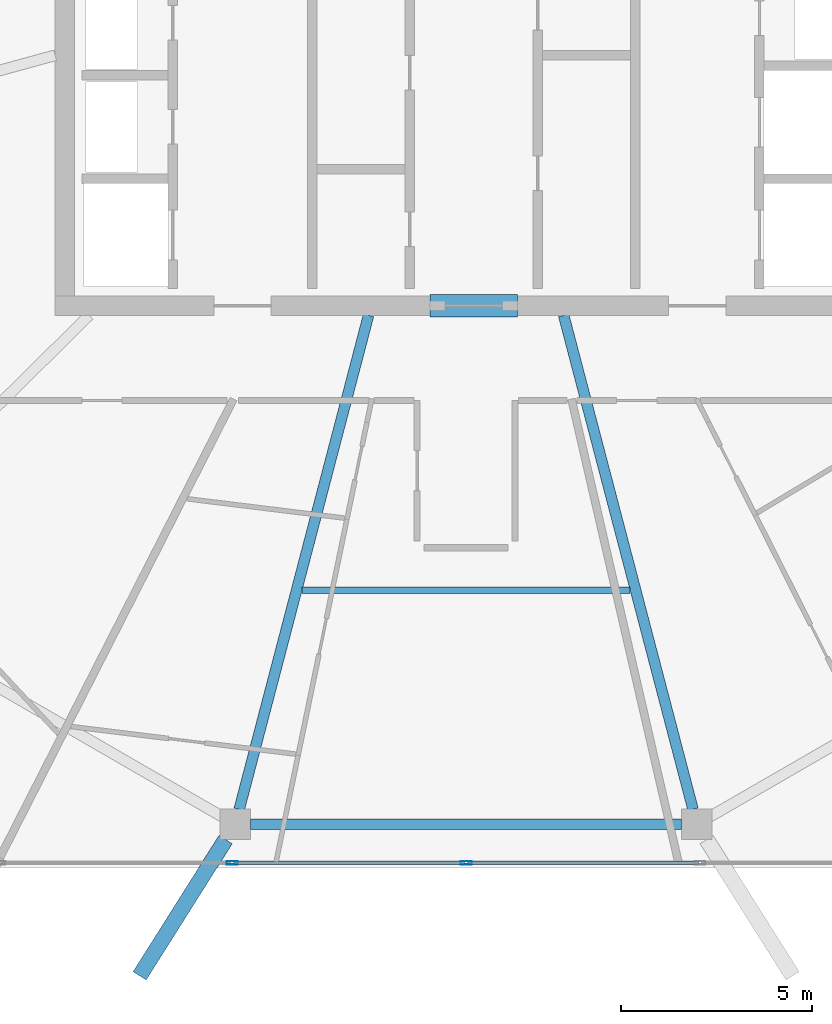
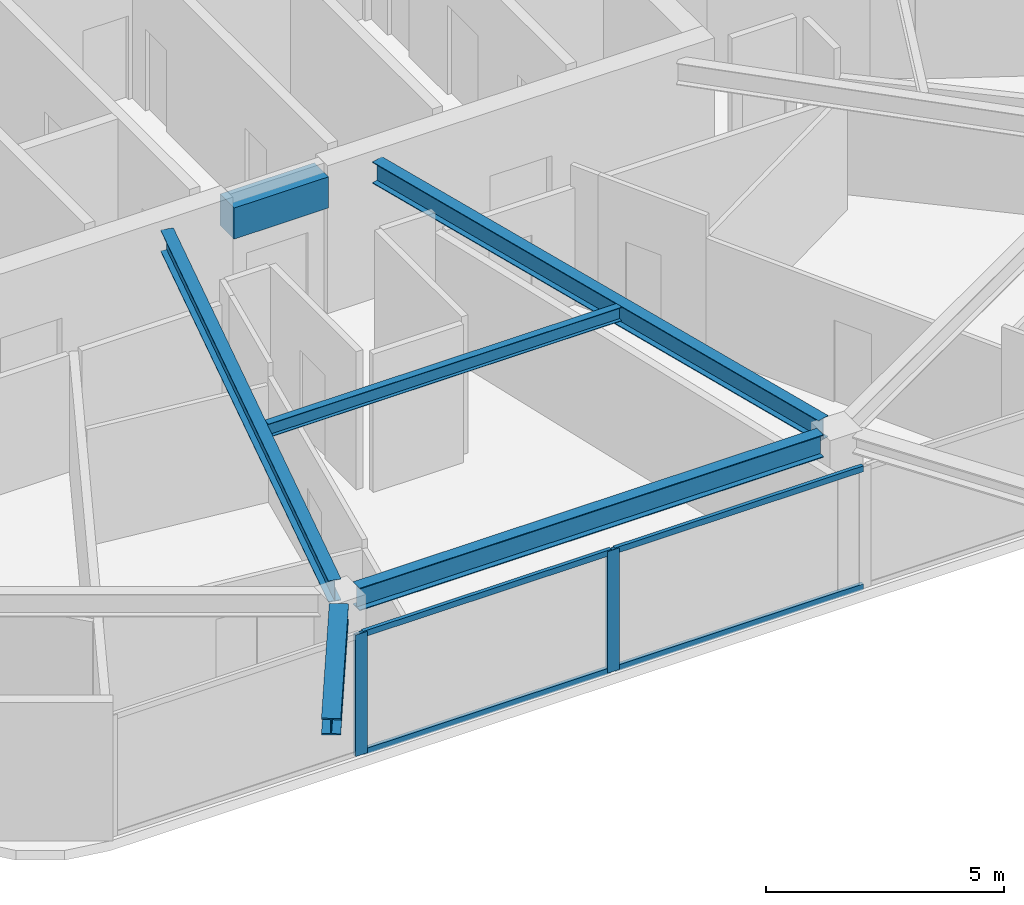
# One storey, part 3 of 19: 6 beams, 6 members, 1 element without a shape of its own.
"""IFC4 building model written with IfcOpenShell, lengths in metres."""

from ifc_helpers import new_model, si_unit, direction, frame, origin, origin_2d, place, context, subcontext, project, spatial, rectangle, hollow_rectangle, i_section, extrude, material, material_profile, profile_set, type_object, element, aggregate, save


model = new_model("IFC4")

# Units and contexts
model_context = context("Model", 3, precision=1e-05, world=origin(), true_north=direction((0.0, 1.0)))
body_context = subcontext(model_context, "Body", "Model", "MODEL_VIEW")
ifc_project = project(units=[si_unit("LENGTHUNIT", "METRE"), si_unit("AREAUNIT", "SQUARE_METRE"), si_unit("VOLUMEUNIT", "CUBIC_METRE"), si_unit("PLANEANGLEUNIT", "RADIAN"), si_unit("MASSUNIT", "GRAM", prefix="KILO")], contexts=[model_context])

# Site, building, storey
site_placement = place(None, origin())
site = spatial("IfcSite", under=ifc_project, at=site_placement, CompositionType="ELEMENT")
building_placement = place(site_placement, origin())
building = spatial("IfcBuilding", under=site, at=building_placement, Name="Zuhravey Tower", CompositionType="ELEMENT")
storey_placement = place(building_placement, frame((0.0, 0.0, 327.199951171875)))
storey = spatial("IfcBuildingStorey", under=building, at=storey_placement, Name="L83", CompositionType="ELEMENT", Elevation=327.199951171875)

# Beam
ifc_material_1 = material(Name="Concrete C50/60", Category="concrete")
ifc_material_profile_1 = material_profile(ifc_material_1, rectangle(XDim=0.60009765625, YDim=0.800048828125, at=origin_2d()), Name="RC-600x800")
ifc_profile_set_1 = profile_set([ifc_material_profile_1], Name="Concrete C50/60")
beam_type_1 = type_object("IfcBeamType", Name="Core Coupling Beam RC600x800", PredefinedType="LINTEL", material=ifc_profile_set_1)
beam_1_placement = place(storey_placement, frame((35.052001953125, 22.5, 3.150146484375), z_axis=(1.0, 0.0, 0.0), x_axis=(0.0, 1.0, 0.0)))
element("IfcBeam", 1, at=beam_1_placement, inside=storey, type_object=beam_type_1, Name="L83 CB2 BM-L83-CB-S", PredefinedType="LINTEL", context=body_context, shape_type="SweptSolid", body=[
    extrude(rectangle(XDim=0.60009765625, YDim=0.800048828125, at=origin_2d()), origin(), (0.0, 0.0, 1.0), 2.2958984375),
])

# Curtain wall, members
ifc_material_2 = material(Name="Thermally broken anodised aluminium", Category="aluminium")
curtain_wall_type = type_object("IfcCurtainWallType", Name="Zone 3-4 High-Rise Curtain Wall CW4", PredefinedType="NOTDEFINED", material=ifc_material_2)
curtain_wall_placement = place(storey_placement, origin())
curtain_wall = element("IfcCurtainWall", 2, at=curtain_wall_placement, inside=storey, type_object=curtain_wall_type, Name="L83 CW4 CW-L83-F5-1", PredefinedType="NOTDEFINED")
ifc_material_3 = material(Name="Anodised aluminium", Category="aluminium")
ifc_material_profile_2 = material_profile(ifc_material_3, hollow_rectangle(XDim=0.090087890625, YDim=0.284912109375, WallThickness=0.0048828125, at=origin_2d()), Name="ALU-RHS-90x285x5")
ifc_profile_set_2 = profile_set([ifc_material_profile_2], Name="Anodised aluminium")
member_type_1 = type_object("IfcMemberType", Name="Curtain-Wall Mullion 90x180", PredefinedType="MULLION", material=ifc_profile_set_2)
member_1_placement = place(storey_placement, frame((36.0, 7.92578125, 0.0), z_axis=(0.0, 0.0, 1.0), x_axis=(0.0, -1.0, 0.0)))
member_1 = element("IfcMember", 3, at=member_1_placement, type_object=member_type_1, Name="CW4 mullion 3", PredefinedType="MULLION", context=body_context, shape_type="SweptSolid", body=[
    extrude(hollow_rectangle(XDim=0.090087890625, YDim=0.284912109375, WallThickness=0.0048828125, at=origin_2d()), origin(), (0.0, 0.0, 1.0), 3.1220703125),
])
member_2_placement = place(storey_placement, frame((29.88037109375, 7.92578125, 0.0), z_axis=(0.0, 0.0, 1.0), x_axis=(0.0, -1.0, 0.0)))
member_2 = element("IfcMember", 4, at=member_2_placement, type_object=member_type_1, Name="CW4 mullion 4", PredefinedType="MULLION", context=body_context, shape_type="SweptSolid", body=[
    extrude(hollow_rectangle(XDim=0.090087890625, YDim=0.284912109375, WallThickness=0.0048828125, at=origin_2d()), origin(), (0.0, 0.0, 1.0), 3.1220703125),
])
ifc_material_profile_3 = material_profile(ifc_material_3, hollow_rectangle(XDim=0.090087890625, YDim=0.14990234375, WallThickness=0.0048828125, at=origin_2d()), Name="ALU-RHS-90x150x5")
ifc_profile_set_3 = profile_set([ifc_material_profile_3], Name="Anodised aluminium")
member_type_2 = type_object("IfcMemberType", Name="Curtain-Wall Transom 90x150", PredefinedType="USERDEFINED", material=ifc_profile_set_3)
member_3_placement = place(storey_placement, frame((42.07470703125, 7.92578125, 0.045166015625), z_axis=(-1.0, 0.0, 0.0), x_axis=(0.0, -1.0, 0.0)))
member_3 = element("IfcMember", 5, at=member_3_placement, type_object=member_type_2, Name="CW4 transom 2.1", ObjectType="TRANSOM", PredefinedType="USERDEFINED", context=body_context, shape_type="SweptSolid", body=[
    extrude(hollow_rectangle(XDim=0.090087890625, YDim=0.14990234375, WallThickness=0.0048828125, at=origin_2d()), origin(), (0.0, 0.0, 1.0), 6.02978515625),
])
member_4_placement = place(storey_placement, frame((42.07470703125, 7.92578125, 3.0771484375), z_axis=(-1.0, 0.0, 0.0), x_axis=(0.0, -1.0, 0.0)))
member_4 = element("IfcMember", 6, at=member_4_placement, type_object=member_type_2, Name="CW4 transom 2.2", ObjectType="TRANSOM", PredefinedType="USERDEFINED", context=body_context, shape_type="SweptSolid", body=[
    extrude(hollow_rectangle(XDim=0.090087890625, YDim=0.14990234375, WallThickness=0.0048828125, at=origin_2d()), origin(), (0.0, 0.0, 1.0), 6.02978515625),
])
member_5_placement = place(storey_placement, frame((35.955078125, 7.92578125, 0.045166015625), z_axis=(-1.0, 0.0, 0.0), x_axis=(0.0, -1.0, 0.0)))
member_5 = element("IfcMember", 7, at=member_5_placement, type_object=member_type_2, Name="CW4 transom 3.1", ObjectType="TRANSOM", PredefinedType="USERDEFINED", context=body_context, shape_type="SweptSolid", body=[
    extrude(hollow_rectangle(XDim=0.090087890625, YDim=0.14990234375, WallThickness=0.0048828125, at=origin_2d()), origin(), (0.0, 0.0, 1.0), 6.02978515625),
])
member_6_placement = place(storey_placement, frame((35.955078125, 7.92578125, 3.0771484375), z_axis=(-1.0, 0.0, 0.0), x_axis=(0.0, -1.0, 0.0)))
member_6 = element("IfcMember", 8, at=member_6_placement, type_object=member_type_2, Name="CW4 transom 3.2", ObjectType="TRANSOM", PredefinedType="USERDEFINED", context=body_context, shape_type="SweptSolid", body=[
    extrude(hollow_rectangle(XDim=0.090087890625, YDim=0.14990234375, WallThickness=0.0048828125, at=origin_2d()), origin(), (0.0, 0.0, 1.0), 6.02978515625),
])
aggregate(curtain_wall, [member_1, member_2, member_3, member_4, member_5, member_6])

# Beams
ifc_material_4 = material(Name="Steel SM460", Category="steel")
ifc_material_profile_4 = material_profile(ifc_material_4, i_section(OverallWidth=0.406982421875, OverallDepth=0.427978515625, WebThickness=0.02001953125, FlangeThickness=0.034912109375, at=origin_2d()), Name="H-428x407x20x35")
ifc_profile_set_4 = profile_set([ifc_material_profile_4], Name="Steel SM460")
beam_type_2 = type_object("IfcBeamType", Name="Exoskeleton Node Tie Beam H428x407", PredefinedType="BEAM", material=ifc_profile_set_4)
beam_2_placement = place(storey_placement, frame((29.706787109375, 8.532470703125, 3.3359375), z_axis=(-0.533546052647, -0.845771014935, 0.0), x_axis=(0.845771014935, -0.533546052647, 0.0)))
element("IfcBeam", 9, at=beam_2_placement, inside=storey, type_object=beam_type_2, Name="L83 Exoskeleton Node Tie NT1-09", PredefinedType="BEAM", context=body_context, shape_type="SweptSolid", body=[
    extrude(i_section(OverallWidth=0.406982421875, OverallDepth=0.427978515625, WebThickness=0.02001953125, FlangeThickness=0.034912109375, at=origin_2d()), origin(), (0.0, 0.0, 1.0), 4.2138671875),
])
ifc_material_5 = material(Name="Steel SM355", Category="steel")
ifc_material_profile_5 = material_profile(ifc_material_5, i_section(OverallWidth=0.280029296875, OverallDepth=0.580078125, WebThickness=0.011962890625, FlangeThickness=0.01904296875, at=origin_2d()), Name="H-580x280x12x19")
ifc_profile_set_5 = profile_set([ifc_material_profile_5], Name="Steel SM355")
beam_type_3 = type_object("IfcBeamType", Name="Perimeter Ring Beam H580x280", PredefinedType="BEAM", material=ifc_profile_set_5)
beam_3_placement = place(storey_placement, frame((30.3642578125, 8.935791015625, 3.260009765625), z_axis=(1.0, 0.0, 0.0), x_axis=(0.0, 1.0, 0.0)))
element("IfcBeam", 10, at=beam_3_placement, inside=storey, type_object=beam_type_3, Name="L83 PB4 BM-L83-PB-09", PredefinedType="BEAM", context=body_context, shape_type="SweptSolid", body=[
    extrude(i_section(OverallWidth=0.280029296875, OverallDepth=0.580078125, WebThickness=0.011962890625, FlangeThickness=0.01904296875, at=origin_2d()), origin(), (0.0, 0.0, 1.0), 11.271484375),
])
ifc_material_profile_6 = material_profile(ifc_material_5, i_section(OverallWidth=0.280029296875, OverallDepth=0.550048828125, WebThickness=0.010986328125, FlangeThickness=0.01806640625, at=origin_2d()), Name="H-550x280x11x18")
ifc_profile_set_6 = profile_set([ifc_material_profile_6], Name="Steel SM355")
beam_type_4 = type_object("IfcBeamType", Name="Radial Primary Girder H550x280", PredefinedType="BEAM", material=ifc_profile_set_6)
for number, where, z_axis, x_axis, name in (
    (11, (33.446533203125, 22.2470703125, 3.275146484375), (-0.253281197106, -0.967392699576, 0.0), (0.967392699576, -0.253281197106, 0.0), "L83 RG4 BM-L83-RAD-09"),
    (12, (38.553466796875, 22.2470703125, 3.275146484375), (0.253281197106, -0.967392699576, 0.0), (0.967392699576, 0.253281197106, 0.0), "L83 RG4 BM-L83-RAD-10"),
):
    element("IfcBeam", number, at=place(storey_placement, frame(where, z_axis=z_axis, x_axis=x_axis)), inside=storey, type_object=beam_type_4, Name=name, PredefinedType="BEAM", context=body_context, shape_type="SweptSolid", body=[
        extrude(i_section(OverallWidth=0.280029296875, OverallDepth=0.550048828125, WebThickness=0.010986328125, FlangeThickness=0.01806640625, at=origin_2d()), origin(), (0.0, 0.0, 1.0), 13.35693359375),
    ])
ifc_material_profile_7 = material_profile(ifc_material_5, i_section(OverallWidth=0.175048828125, OverallDepth=0.35009765625, WebThickness=0.007080078125, FlangeThickness=0.010986328125, at=origin_2d()), Name="H-350x175x7x11")
ifc_profile_set_7 = profile_set([ifc_material_profile_7], Name="Steel SM355")
beam_type_5 = type_object("IfcBeamType", Name="Secondary Floor Joist H350x175", PredefinedType="JOIST", material=ifc_profile_set_7)
beam_4_placement = place(storey_placement, frame((31.70849609375, 15.05908203125, 3.375), z_axis=(1.0, 0.0, 0.0), x_axis=(0.0, 1.0, 0.0)))
element("IfcBeam", 13, at=beam_4_placement, inside=storey, type_object=beam_type_5, Name="L83 SJ3 BM-L83-SJ-09-1", PredefinedType="JOIST", context=body_context, shape_type="SweptSolid", body=[
    extrude(i_section(OverallWidth=0.175048828125, OverallDepth=0.35009765625, WebThickness=0.007080078125, FlangeThickness=0.010986328125, at=origin_2d()), origin(), (0.0, 0.0, 1.0), 8.5830078125),
])

save(model, "model.ifc")
